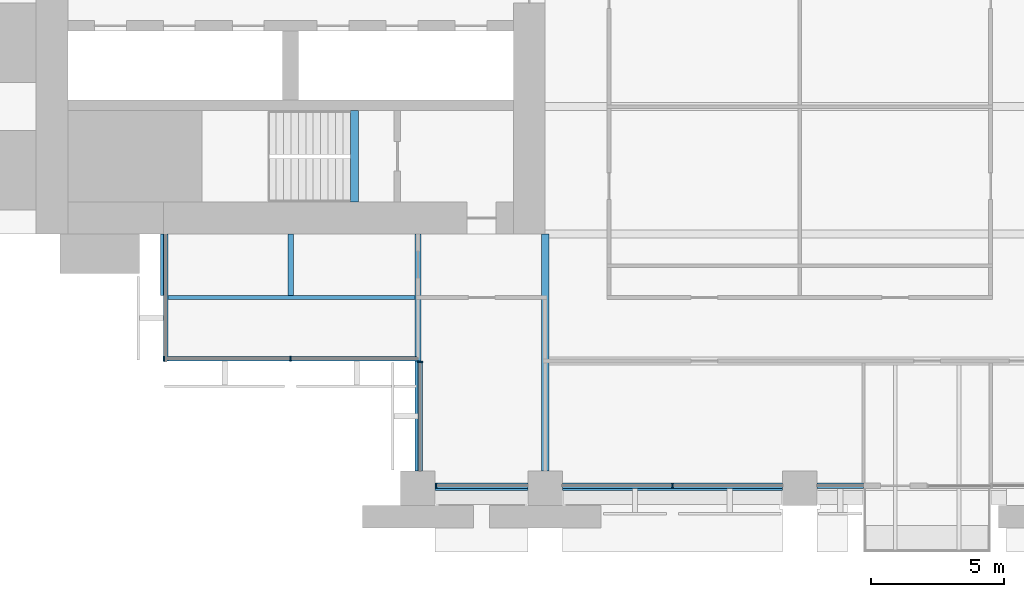
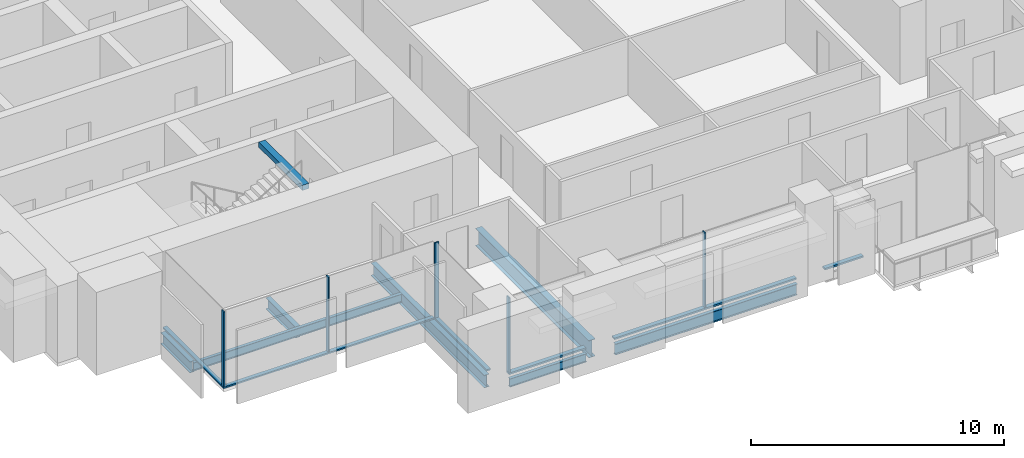
# One storey, part 2 of 15: 11 members, 8 beams, 4 elements without a shape of their own.
"""IFC4 building model written with IfcOpenShell, lengths in metres."""

from ifc_helpers import new_model, si_unit, direction, frame, origin, origin_2d, place, context, subcontext, project, spatial, rectangle, i_section, extrude, material, material_profile, profile_set, type_object, element, aggregate, save


model = new_model("IFC4")

# Units and contexts
model_context = context("Model", 3, precision=1e-05, world=origin(), true_north=direction((0.0, 1.0)))
body_context = subcontext(model_context, "Body", "Model", "MODEL_VIEW")
ifc_project = project(units=[si_unit("LENGTHUNIT", "METRE"), si_unit("AREAUNIT", "SQUARE_METRE"), si_unit("VOLUMEUNIT", "CUBIC_METRE"), si_unit("PLANEANGLEUNIT", "RADIAN"), si_unit("MASSUNIT", "GRAM", prefix="KILO")], contexts=[model_context])

# Site, building, storey
site_placement = place(None, origin())
site = spatial("IfcSite", under=ifc_project, at=site_placement, CompositionType="ELEMENT")
building_placement = place(site_placement, origin())
building = spatial("IfcBuilding", under=site, at=building_placement, Name="Baori Bourse Tower", CompositionType="ELEMENT")
storey_placement = place(building_placement, frame((0.0, 0.0, 83.0)))
storey = spatial("IfcBuildingStorey", under=building, at=storey_placement, Name="L18", CompositionType="ELEMENT", Elevation=83.0)

# Curtain wall, members
ifc_material_1 = material(Name="Pale anodised aluminium", Category="aluminium")
curtain_wall_type_1 = type_object("IfcCurtainWallType", Name="CW1 Curtain wall", PredefinedType="NOTDEFINED", material=ifc_material_1)
curtain_wall_1_placement = place(storey_placement, origin())
curtain_wall_1 = element("IfcCurtainWall", 1, at=curtain_wall_1_placement, inside=storey, type_object=curtain_wall_type_1, Name="Curtain wall CW1 L18 14", PredefinedType="NOTDEFINED")
ifc_material_2 = material(Name="Pale anodised aluminium", Category="aluminium")
ifc_material_profile_1 = material_profile(ifc_material_2, rectangle(XDim=0.199951171875, YDim=0.06005859375, at=origin_2d()), Name="Mullion 60x200")
ifc_profile_set_1 = profile_set([ifc_material_profile_1], Name="Pale anodised aluminium")
member_type_1 = type_object("IfcMemberType", Name="CW1 Curtain wall mullion", PredefinedType="MULLION", material=ifc_profile_set_1)
member_1_placement = place(storey_placement, frame((15.080078125, 0.10009765625, 0.080078125), z_axis=(0.0, 0.0, 1.0), x_axis=(0.0, 1.0, 0.0)))
member_1 = element("IfcMember", 2, at=member_1_placement, type_object=member_type_1, Name="Curtain wall CW1 mullion", PredefinedType="MULLION", context=body_context, shape_type="SweptSolid", body=[
    extrude(rectangle(XDim=0.199951171875, YDim=0.06005859375, at=origin_2d()), origin(), (0.0, 0.0, 1.0), 3.619873046875),
])
member_2_placement = place(storey_placement, frame((24.0, 0.10009765625, 0.080078125), z_axis=(0.0, 0.0, 1.0), x_axis=(0.0, 1.0, 0.0)))
member_2 = element("IfcMember", 3, at=member_2_placement, type_object=member_type_1, Name="Curtain wall CW1 mullion", PredefinedType="MULLION", context=body_context, shape_type="SweptSolid", body=[
    extrude(rectangle(XDim=0.199951171875, YDim=0.06005859375, at=origin_2d()), origin(), (0.0, 0.0, 1.0), 3.619873046875),
])
ifc_material_3 = material(Name="Pale anodised aluminium", Category="aluminium")
ifc_material_profile_2 = material_profile(ifc_material_3, rectangle(XDim=0.199951171875, YDim=0.080078125, at=origin_2d()), Name="Transom 80x200")
ifc_profile_set_2 = profile_set([ifc_material_profile_2], Name="Pale anodised aluminium")
member_type_2 = type_object("IfcMemberType", Name="CW1 Curtain wall transom", PredefinedType="USERDEFINED", material=ifc_profile_set_2)
member_3_placement = place(storey_placement, frame((15.050048828125, 0.10009765625, 0.0400390625), z_axis=(1.0, 0.0, 0.0), x_axis=(0.0, 1.0, 0.0)))
member_3 = element("IfcMember", 4, at=member_3_placement, type_object=member_type_2, Name="Curtain wall CW1 sill rail", ObjectType="TRANSOM", PredefinedType="USERDEFINED", context=body_context, shape_type="SweptSolid", body=[
    extrude(rectangle(XDim=0.199951171875, YDim=0.080078125, at=origin_2d()), origin(), (0.0, 0.0, 1.0), 3.5),
])
member_4_placement = place(storey_placement, frame((19.85009765625, 0.10009765625, 0.0400390625), z_axis=(1.0, 0.0, 0.0), x_axis=(0.0, 1.0, 0.0)))
member_4 = element("IfcMember", 5, at=member_4_placement, type_object=member_type_2, Name="Curtain wall CW1 sill rail", ObjectType="TRANSOM", PredefinedType="USERDEFINED", context=body_context, shape_type="SweptSolid", body=[
    extrude(rectangle(XDim=0.199951171875, YDim=0.080078125, at=origin_2d()), origin(), (0.0, 0.0, 1.0), 8.2998046875),
])
member_5_placement = place(storey_placement, frame((29.449951171875, 0.10009765625, 0.0400390625), z_axis=(1.0, 0.0, 0.0), x_axis=(0.0, 1.0, 0.0)))
member_5 = element("IfcMember", 6, at=member_5_placement, type_object=member_type_2, Name="Curtain wall CW1 sill rail", ObjectType="TRANSOM", PredefinedType="USERDEFINED", context=body_context, shape_type="SweptSolid", body=[
    extrude(rectangle(XDim=0.199951171875, YDim=0.080078125, at=origin_2d()), origin(), (0.0, 0.0, 1.0), 1.75),
])
aggregate(curtain_wall_1, [member_3, member_1, member_4, member_2, member_5])

ifc_material_4 = material(Name="Pale anodised aluminium", Category="aluminium")
curtain_wall_type_2 = type_object("IfcCurtainWallType", Name="CW2 Curtain wall", PredefinedType="NOTDEFINED", material=ifc_material_4)
curtain_wall_2_placement = place(storey_placement, origin())
curtain_wall_2 = element("IfcCurtainWall", 7, at=curtain_wall_2_placement, inside=storey, type_object=curtain_wall_type_2, Name="Curtain wall CW2 L18 12", PredefinedType="NOTDEFINED")
ifc_material_5 = material(Name="Pale anodised aluminium", Category="aluminium")
ifc_material_profile_3 = material_profile(ifc_material_5, rectangle(XDim=0.179931640625, YDim=0.054931640625, at=origin_2d()), Name="Mullion 55x180")
ifc_profile_set_3 = profile_set([ifc_material_profile_3], Name="Pale anodised aluminium")
member_type_3 = type_object("IfcMemberType", Name="CW2 Curtain wall mullion", PredefinedType="MULLION", material=ifc_profile_set_3)
member_6_placement = place(storey_placement, frame((4.827392578125, 4.889892578125, 0.070068359375), z_axis=(0.0, 0.0, 1.0), x_axis=(0.0, 1.0, 0.0)))
member_6 = element("IfcMember", 8, at=member_6_placement, type_object=member_type_3, Name="Curtain wall CW2 mullion", PredefinedType="MULLION", context=body_context, shape_type="SweptSolid", body=[
    extrude(rectangle(XDim=0.179931640625, YDim=0.054931640625, at=origin_2d()), origin(), (0.0, 0.0, 1.0), 3.6298828125),
])
member_7_placement = place(storey_placement, frame((9.60009765625, 4.889892578125, 0.070068359375), z_axis=(0.0, 0.0, 1.0), x_axis=(0.0, 1.0, 0.0)))
member_7 = element("IfcMember", 9, at=member_7_placement, type_object=member_type_3, Name="Curtain wall CW2 mullion", PredefinedType="MULLION", context=body_context, shape_type="SweptSolid", body=[
    extrude(rectangle(XDim=0.179931640625, YDim=0.054931640625, at=origin_2d()), origin(), (0.0, 0.0, 1.0), 3.6298828125),
])

# Curtain wall, member
curtain_wall_3_placement = place(storey_placement, origin())
curtain_wall_3 = element("IfcCurtainWall", 10, at=curtain_wall_3_placement, inside=storey, type_object=curtain_wall_type_2, Name="Curtain wall CW2 L18 13", PredefinedType="NOTDEFINED")
member_8_placement = place(storey_placement, frame((14.489990234375, 4.7724609375, 0.070068359375), z_axis=(0.0, 0.0, 1.0), x_axis=(1.0, 0.0, 0.0)))
member_8 = element("IfcMember", 11, at=member_8_placement, type_object=member_type_3, Name="Curtain wall CW2 mullion", PredefinedType="MULLION", context=body_context, shape_type="SweptSolid", body=[
    extrude(rectangle(XDim=0.179931640625, YDim=0.054931640625, at=origin_2d()), origin(), (0.0, 0.0, 1.0), 3.6298828125),
])

curtain_wall_4_placement = place(storey_placement, origin())
curtain_wall_4 = element("IfcCurtainWall", 12, at=curtain_wall_4_placement, inside=storey, type_object=curtain_wall_type_2, Name="Curtain wall CW2 L18 11", PredefinedType="NOTDEFINED")
ifc_material_6 = material(Name="Pale anodised aluminium", Category="aluminium")
ifc_material_profile_4 = material_profile(ifc_material_6, rectangle(XDim=0.179931640625, YDim=0.070068359375, at=origin_2d()), Name="Transom 70x180")
ifc_profile_set_4 = profile_set([ifc_material_profile_4], Name="Pale anodised aluminium")
member_type_4 = type_object("IfcMemberType", Name="CW2 Curtain wall transom", PredefinedType="USERDEFINED", material=ifc_profile_set_4)
member_9_placement = place(storey_placement, frame((4.889892578125, 9.60009765625, 0.034912109375), z_axis=(0.0, -1.0, 0.0), x_axis=(1.0, 0.0, 0.0)))
member_9 = element("IfcMember", 13, at=member_9_placement, type_object=member_type_4, Name="Curtain wall CW2 sill rail", ObjectType="TRANSOM", PredefinedType="USERDEFINED", context=body_context, shape_type="SweptSolid", body=[
    extrude(rectangle(XDim=0.179931640625, YDim=0.070068359375, at=origin_2d()), origin(), (0.0, 0.0, 1.0), 4.800048828125),
])
aggregate(curtain_wall_4, [member_9])

# Member
member_10_placement = place(storey_placement, frame((4.800048828125, 4.889892578125, 0.034912109375), z_axis=(1.0, 0.0, 0.0), x_axis=(0.0, 1.0, 0.0)))
member_10 = element("IfcMember", 14, at=member_10_placement, type_object=member_type_4, Name="Curtain wall CW2 sill rail", ObjectType="TRANSOM", PredefinedType="USERDEFINED", context=body_context, shape_type="SweptSolid", body=[
    extrude(rectangle(XDim=0.179931640625, YDim=0.070068359375, at=origin_2d()), origin(), (0.0, 0.0, 1.0), 9.599853515625),
])

aggregate(curtain_wall_2, [member_10, member_6, member_7])

member_11_placement = place(storey_placement, frame((14.489990234375, 4.800048828125, 0.034912109375), z_axis=(0.0, -1.0, 0.0), x_axis=(1.0, 0.0, 0.0)))
member_11 = element("IfcMember", 15, at=member_11_placement, type_object=member_type_4, Name="Curtain wall CW2 sill rail", ObjectType="TRANSOM", PredefinedType="USERDEFINED", context=body_context, shape_type="SweptSolid", body=[
    extrude(rectangle(XDim=0.179931640625, YDim=0.070068359375, at=origin_2d()), origin(), (0.0, 0.0, 1.0), 4.150146484375),
])

aggregate(curtain_wall_3, [member_11, member_8])

# Beams
ifc_material_7 = material(Name="Steel A992 Gr 50", Category="steel")
ifc_material_profile_5 = material_profile(ifc_material_7, i_section(OverallWidth=0.21240234375, OverallDepth=0.54345703125, WebThickness=0.01318359375, FlangeThickness=0.021240234375, at=origin_2d()), Name="W21x83")
ifc_profile_set_5 = profile_set([ifc_material_profile_5], Name="Steel A992 Gr 50")
beam_type_1 = type_object("IfcBeamType", Name="Core bracket W21x83", PredefinedType="BEAM", material=ifc_profile_set_5)
for number, where, z_axis, x_axis, name in (
    (16, (4.800048828125, 7.270263671875, -0.431884765625), (0.0, 1.0, 0.0), (-1.0, 0.0, 0.0), "Core bracket L18"),
    (17, (9.60009765625, 7.270263671875, -0.431884765625), (0.0, 1.0, 0.0), (-1.0, 0.0, 0.0), "Core bracket L18"),
):
    element("IfcBeam", number, at=place(storey_placement, frame(where, z_axis=z_axis, x_axis=x_axis)), inside=storey, type_object=beam_type_1, Name=name, PredefinedType="BEAM", context=body_context, shape_type="SweptSolid", body=[
        extrude(i_section(OverallWidth=0.21240234375, OverallDepth=0.54345703125, WebThickness=0.01318359375, FlangeThickness=0.021240234375, at=origin_2d()), origin(), (0.0, 0.0, 1.0), 2.329833984375),
    ])
ifc_material_8 = material(Name="Steel A992 Gr 50", Category="steel")
ifc_material_profile_6 = material_profile(ifc_material_8, i_section(OverallWidth=0.140380859375, OverallDepth=0.40380859375, WebThickness=0.007080078125, FlangeThickness=0.01123046875, at=origin_2d()), Name="W16x31")
ifc_profile_set_6 = profile_set([ifc_material_profile_6], Name="Steel A992 Gr 50")
beam_type_2 = type_object("IfcBeamType", Name="Edge beam W16x31", PredefinedType="BEAM", material=ifc_profile_set_6)
beam_1_placement = place(storey_placement, frame((15.050048828125, 0.0, -0.36181640625), z_axis=(1.0, 0.0, 0.0), x_axis=(0.0, 1.0, 0.0)))
element("IfcBeam", 18, at=beam_1_placement, inside=storey, type_object=beam_type_2, Name="Edge beam L18", PredefinedType="BEAM", context=body_context, shape_type="SweptSolid", body=[
    extrude(i_section(OverallWidth=0.140380859375, OverallDepth=0.40380859375, WebThickness=0.007080078125, FlangeThickness=0.01123046875, at=origin_2d()), origin(), (0.0, 0.0, 1.0), 3.5),
])
ifc_material_9 = material(Name="Steel A992 Gr 50", Category="steel")
ifc_material_profile_7 = material_profile(ifc_material_9, i_section(OverallWidth=0.1650390625, OverallDepth=0.52587890625, WebThickness=0.0087890625, FlangeThickness=0.011474609375, at=origin_2d()), Name="W21x44")
ifc_profile_set_7 = profile_set([ifc_material_profile_7], Name="Steel A992 Gr 50")
beam_type_3 = type_object("IfcBeamType", Name="Edge beam W21x44", PredefinedType="BEAM", material=ifc_profile_set_7)
beam_2_placement = place(storey_placement, frame((19.85009765625, 0.0, -0.4228515625), z_axis=(1.0, 0.0, 0.0), x_axis=(0.0, 1.0, 0.0)))
element("IfcBeam", 19, at=beam_2_placement, inside=storey, type_object=beam_type_3, Name="Edge beam L18", PredefinedType="BEAM", context=body_context, shape_type="SweptSolid", body=[
    extrude(i_section(OverallWidth=0.1650390625, OverallDepth=0.52587890625, WebThickness=0.0087890625, FlangeThickness=0.011474609375, at=origin_2d()), origin(), (0.0, 0.0, 1.0), 8.2998046875),
])
ifc_material_10 = material(Name="Steel A992 Gr 50", Category="steel")
ifc_material_profile_8 = material_profile(ifc_material_10, i_section(OverallWidth=0.22900390625, OverallDepth=0.612060546875, WebThickness=0.011962890625, FlangeThickness=0.01953125, at=origin_2d()), Name="W24x84")
ifc_profile_set_8 = profile_set([ifc_material_profile_8], Name="Steel A992 Gr 50")
beam_type_4 = type_object("IfcBeamType", Name="Floor beam W24x84", PredefinedType="BEAM", material=ifc_profile_set_8)
beam_3_placement = place(storey_placement, frame((14.39990234375, 0.64990234375, -0.466064453125), z_axis=(0.0, 1.0, 0.0), x_axis=(-1.0, 0.0, 0.0)))
element("IfcBeam", 20, at=beam_3_placement, inside=storey, type_object=beam_type_4, Name="Floor beam L18", PredefinedType="BEAM", context=body_context, shape_type="SweptSolid", body=[
    extrude(i_section(OverallWidth=0.22900390625, OverallDepth=0.612060546875, WebThickness=0.011962890625, FlangeThickness=0.01953125, at=origin_2d()), origin(), (0.0, 0.0, 1.0), 8.9501953125),
])
ifc_material_11 = material(Name="Steel A992 Gr 50", Category="steel")
ifc_material_profile_9 = material_profile(ifc_material_11, i_section(OverallWidth=0.2919921875, OverallDepth=0.835693359375, WebThickness=0.013916015625, FlangeThickness=0.018798828125, at=origin_2d()), Name="W33x118")
ifc_profile_set_9 = profile_set([ifc_material_profile_9], Name="Steel A992 Gr 50")
beam_type_5 = type_object("IfcBeamType", Name="Girder W33x118", PredefinedType="BEAM", material=ifc_profile_set_9)
beam_4_placement = place(storey_placement, frame((19.199951171875, 0.64990234375, -0.577880859375), z_axis=(0.0, 1.0, 0.0), x_axis=(-1.0, 0.0, 0.0)))
element("IfcBeam", 21, at=beam_4_placement, inside=storey, type_object=beam_type_5, Name="Girder L18", PredefinedType="BEAM", context=body_context, shape_type="SweptSolid", body=[
    extrude(i_section(OverallWidth=0.2919921875, OverallDepth=0.835693359375, WebThickness=0.013916015625, FlangeThickness=0.018798828125, at=origin_2d()), origin(), (0.0, 0.0, 1.0), 8.9501953125),
])
ifc_material_12 = material(Name="Concrete f'c 50 MPa", Category="concrete")
ifc_material_profile_10 = material_profile(ifc_material_12, rectangle(XDim=0.300048828125, YDim=0.25, at=origin_2d()), Name="RC 300x250")
ifc_profile_set_10 = profile_set([ifc_material_profile_10], Name="Concrete f'c 50 MPa")
beam_type_6 = type_object("IfcBeamType", Name="Stair nib beam RC 300x250", PredefinedType="BEAM", material=ifc_profile_set_10)
beam_5_placement = place(storey_placement, frame((12.0, 10.800048828125, 3.574951171875), z_axis=(0.0, 1.0, 0.0), x_axis=(-1.0, 0.0, 0.0)))
element("IfcBeam", 22, at=beam_5_placement, inside=storey, type_object=beam_type_6, Name="Stair WA nib beam L19", PredefinedType="BEAM", context=body_context, shape_type="SweptSolid", body=[
    extrude(rectangle(XDim=0.300048828125, YDim=0.25, at=origin_2d()), origin(), (0.0, 0.0, 1.0), 3.449951171875),
])
ifc_material_13 = material(Name="Steel A992 Gr 50", Category="steel")
ifc_material_profile_11 = material_profile(ifc_material_13, i_section(OverallWidth=0.140380859375, OverallDepth=0.40380859375, WebThickness=0.007080078125, FlangeThickness=0.01123046875, at=origin_2d()), Name="W16x31")
ifc_profile_set_11 = profile_set([ifc_material_profile_11], Name="Steel A992 Gr 50")
beam_type_7 = type_object("IfcBeamType", Name="Trimmer beam W16x31", PredefinedType="BEAM", material=ifc_profile_set_11)
beam_6_placement = place(storey_placement, frame((4.800048828125, 7.199951171875, -0.36181640625), z_axis=(1.0, 0.0, 0.0), x_axis=(0.0, 1.0, 0.0)))
element("IfcBeam", 23, at=beam_6_placement, inside=storey, type_object=beam_type_7, Name="Trimmer beam L18", PredefinedType="BEAM", context=body_context, shape_type="SweptSolid", body=[
    extrude(i_section(OverallWidth=0.140380859375, OverallDepth=0.40380859375, WebThickness=0.007080078125, FlangeThickness=0.01123046875, at=origin_2d()), origin(), (0.0, 0.0, 1.0), 9.4853515625),
])

save(model, "model.ifc")
